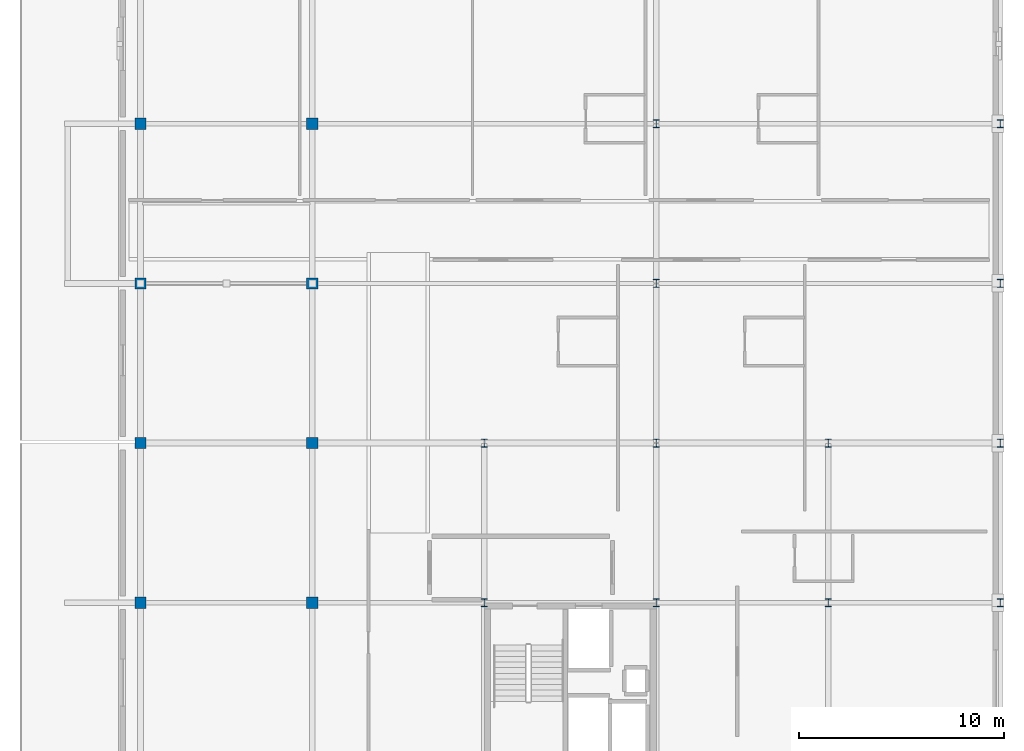
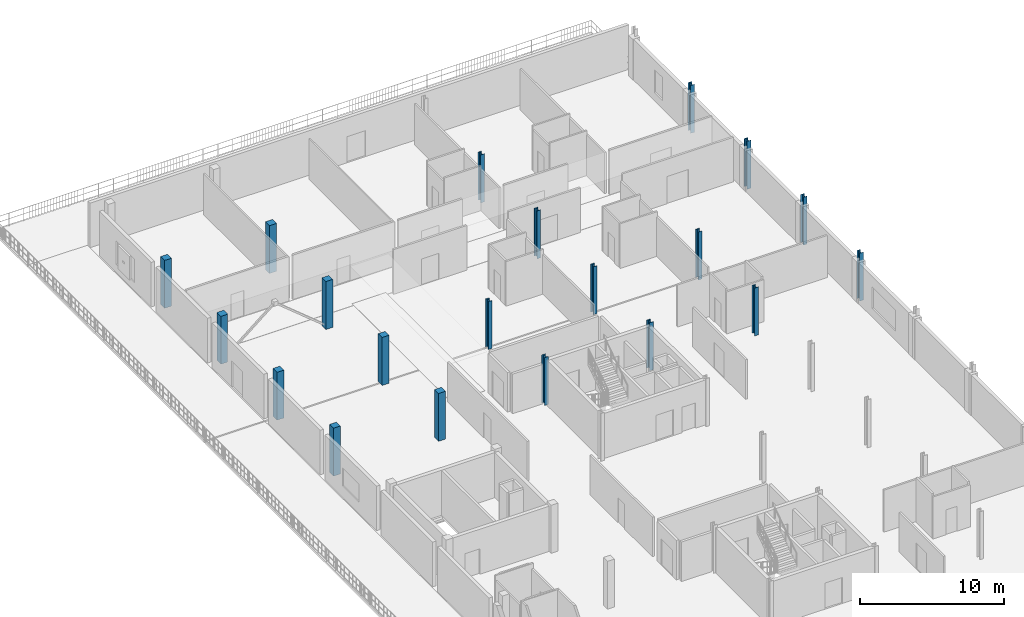
# One storey, part 3 of 16: 20 columns.
"""IFC4 building model written with IfcOpenShell, lengths in metres."""

from ifc_helpers import new_model, si_unit, direction, frame, origin, origin_2d, place, context, subcontext, project, spatial, rectangle, i_section, extrude, material, material_profile, profile_set, type_object, element, save


model = new_model("IFC4")

# Units and contexts
model_context = context("Model", 3, precision=1e-05, world=origin(), true_north=direction((0.0, 1.0)))
body_context = subcontext(model_context, "Body", "Model", "MODEL_VIEW")
ifc_project = project(units=[si_unit("LENGTHUNIT", "METRE"), si_unit("AREAUNIT", "SQUARE_METRE"), si_unit("VOLUMEUNIT", "CUBIC_METRE"), si_unit("PLANEANGLEUNIT", "RADIAN"), si_unit("MASSUNIT", "GRAM", prefix="KILO")], contexts=[model_context])

# Site, building, storey
site_placement = place(None, origin())
site = spatial("IfcSite", under=ifc_project, at=site_placement, CompositionType="ELEMENT")
building_placement = place(site_placement, origin())
building = spatial("IfcBuilding", under=site, at=building_placement, Name="Nabrawat Pavilion Hospital", CompositionType="ELEMENT")
storey_placement = place(building_placement, frame((0.0, 0.0, 31.050048828125)))
storey = spatial("IfcBuildingStorey", under=building, at=storey_placement, Name="L07", CompositionType="ELEMENT", Elevation=31.050048828125)

# Columns
ifc_material_1 = material(Name="Steel S355", Category="steel")
ifc_material_profile_1 = material_profile(ifc_material_1, i_section(OverallWidth=0.300048828125, OverallDepth=0.39990234375, WebThickness=0.013427734375, FlangeThickness=0.02392578125, FilletRadius=0.027099609375, at=origin_2d()), Name="HEB 400")
ifc_profile_set_1 = profile_set([ifc_material_profile_1], Name="Steel S355")
column_type_1 = type_object("IfcColumnType", Name="Composite Steel Column HEB 400", PredefinedType="COLUMN", material=ifc_profile_set_1)
for number, where, z_axis, x_axis, name in (
    (1, (168.0, 78.0, 0.0), (0.0, 0.0, 1.0), (1.0, 0.0, 0.0), "L07 Structural Column G-21-L"),
    (2, (168.0, 85.800048828125, 0.0), (0.0, 0.0, 1.0), (1.0, 0.0, 0.0), "L07 Structural Column G-21-M1"),
    (3, (176.39990234375, 78.0, 0.0), (0.0, 0.0, 1.0), (1.0, 0.0, 0.0), "L07 Structural Column G-22-L"),
    (4, (176.39990234375, 85.800048828125, 0.0), (0.0, 0.0, 1.0), (1.0, 0.0, 0.0), "L07 Structural Column G-22-M1"),
    (5, (176.39990234375, 93.60009765625, 0.0), (0.0, 0.0, 1.0), (1.0, 0.0, 0.0), "L07 Structural Column G-22-N"),
    (6, (176.39990234375, 101.39990234375, 0.0), (0.0, 0.0, 1.0), (1.0, 0.0, 0.0), "L07 Structural Column G-22-P"),
    (7, (184.800048828125, 78.0, 0.0), (0.0, 0.0, 1.0), (1.0, 0.0, 0.0), "L07 Structural Column G-23-L"),
    (8, (184.800048828125, 85.800048828125, 0.0), (0.0, 0.0, 1.0), (1.0, 0.0, 0.0), "L07 Structural Column G-23-M1"),
    (9, (193.199951171875, 78.0, 0.0), (0.0, 0.0, 1.0), (1.0, 0.0, 0.0), "L07 Structural Column G-24-L"),
    (10, (193.199951171875, 85.800048828125, 0.0), (0.0, 0.0, 1.0), (1.0, 0.0, 0.0), "L07 Structural Column G-24-M1"),
    (11, (193.199951171875, 93.60009765625, 0.0), (0.0, 0.0, 1.0), (1.0, 0.0, 0.0), "L07 Structural Column G-24-N"),
    (12, (193.199951171875, 101.39990234375, 0.0), (0.0, 0.0, 1.0), (1.0, 0.0, 0.0), "L07 Structural Column G-24-P"),
):
    element("IfcColumn", number, at=place(storey_placement, frame(where, z_axis=z_axis, x_axis=x_axis)), inside=storey, type_object=column_type_1, Name=name, PredefinedType="COLUMN", context=body_context, shape_type="SweptSolid", body=[
        extrude(i_section(OverallWidth=0.300048828125, OverallDepth=0.39990234375, WebThickness=0.013427734375, FlangeThickness=0.02392578125, FilletRadius=0.027099609375, at=origin_2d()), origin(), (0.0, 0.0, 1.0), 4.050048828125),
    ])
ifc_material_2 = material(Name="Concrete C40/50", Category="concrete")
ifc_material_profile_2 = material_profile(ifc_material_2, rectangle(XDim=0.550048828125, YDim=0.550048828125, at=origin_2d()), Name="RC 550x550")
ifc_profile_set_2 = profile_set([ifc_material_profile_2], Name="Concrete C40/50")
column_type_2 = type_object("IfcColumnType", Name="Top Ward RC Column 550x550", PredefinedType="COLUMN", material=ifc_profile_set_2)
for number, where, z_axis, x_axis, name in (
    (13, (151.199951171875, 78.0, 0.0), (0.0, 0.0, 1.0), (1.0, 0.0, 0.0), "L07 Structural Column G-19-L"),
    (14, (151.199951171875, 85.800048828125, 0.0), (0.0, 0.0, 1.0), (1.0, 0.0, 0.0), "L07 Structural Column G-19-M1"),
    (15, (151.199951171875, 93.60009765625, 0.0), (0.0, 0.0, 1.0), (1.0, 0.0, 0.0), "L07 Structural Column G-19-N"),
    (16, (151.199951171875, 101.39990234375, 0.0), (0.0, 0.0, 1.0), (1.0, 0.0, 0.0), "L07 Structural Column G-19-P"),
    (17, (159.60009765625, 78.0, 0.0), (0.0, 0.0, 1.0), (1.0, 0.0, 0.0), "L07 Structural Column G-20-L"),
    (18, (159.60009765625, 85.800048828125, 0.0), (0.0, 0.0, 1.0), (1.0, 0.0, 0.0), "L07 Structural Column G-20-M1"),
    (19, (159.60009765625, 93.60009765625, 0.0), (0.0, 0.0, 1.0), (1.0, 0.0, 0.0), "L07 Structural Column G-20-N"),
    (20, (159.60009765625, 101.39990234375, 0.0), (0.0, 0.0, 1.0), (1.0, 0.0, 0.0), "L07 Structural Column G-20-P"),
):
    element("IfcColumn", number, at=place(storey_placement, frame(where, z_axis=z_axis, x_axis=x_axis)), inside=storey, type_object=column_type_2, Name=name, PredefinedType="COLUMN", context=body_context, shape_type="SweptSolid", body=[
        extrude(rectangle(XDim=0.550048828125, YDim=0.550048828125, at=origin_2d()), origin(), (0.0, 0.0, 1.0), 4.050048828125),
    ])

save(model, "model.ifc")
